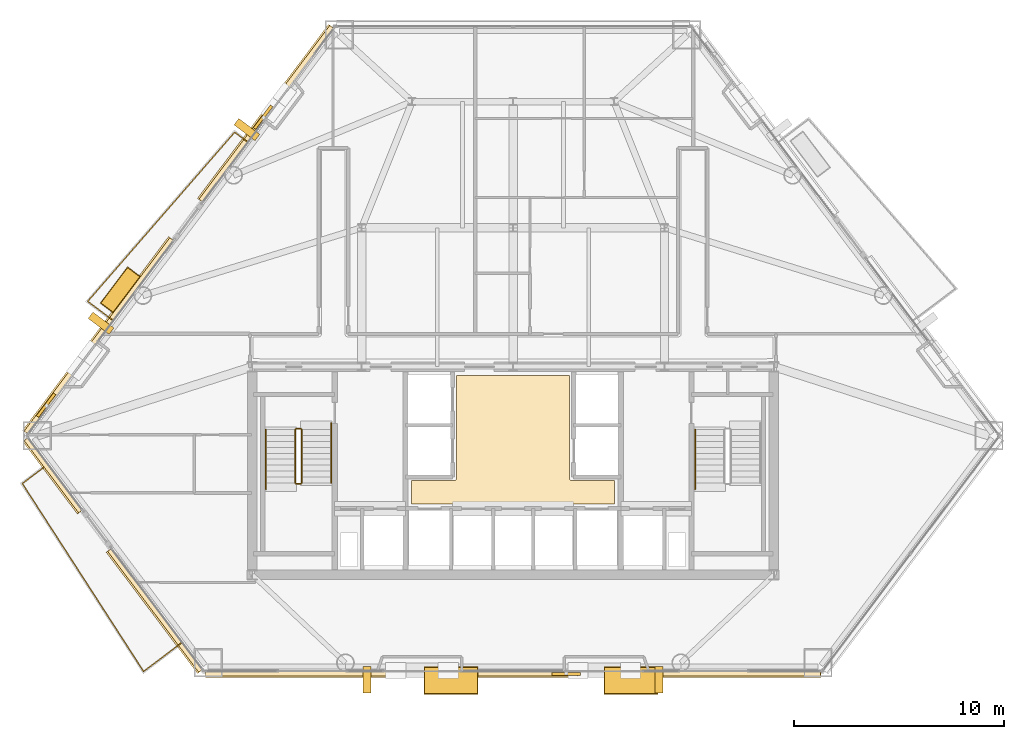
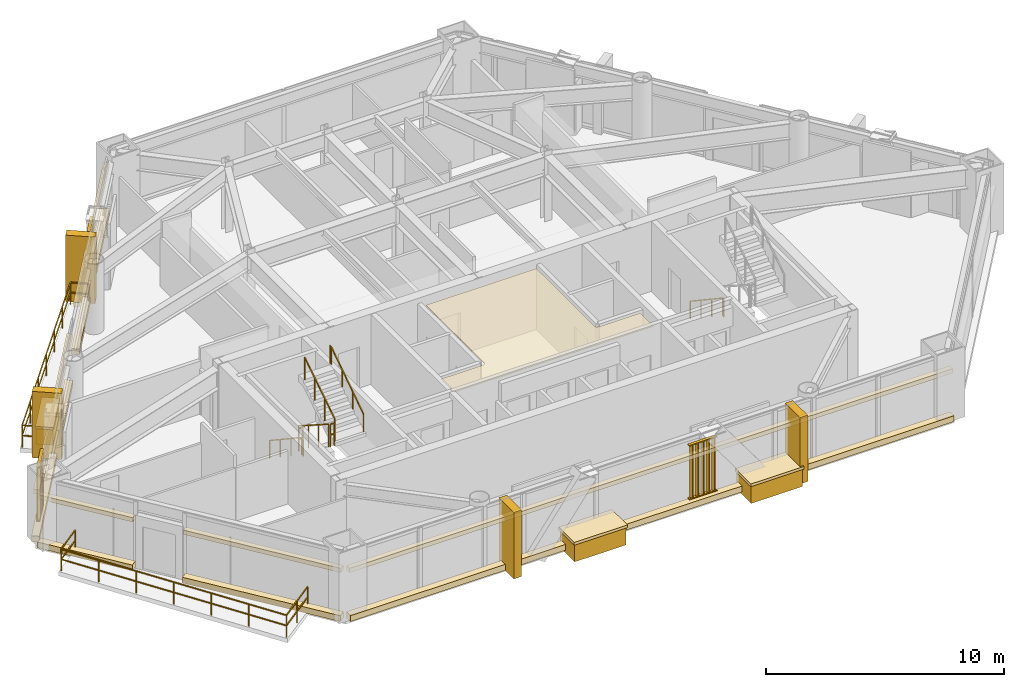
# One storey, part 9 of 10: 21 coverings, 9 railings, 3 shading devices.
"""IFC4 building model written with IfcOpenShell, lengths in metres."""

from ifc_helpers import new_model, si_unit, direction, frame, origin, origin_2d, place, context, subcontext, project, spatial, polyline, rectangle, outline, extrude, source, transform, mapped, material, layer, layer_set, type_object, type_shapes, element, save


model = new_model("IFC4")

# Units and contexts
model_context = context("Model", 3, precision=1e-05, world=origin(), true_north=direction((0.0, 1.0)))
body_context = subcontext(model_context, "Body", "Model", "MODEL_VIEW")
ifc_project = project(units=[si_unit("LENGTHUNIT", "METRE"), si_unit("AREAUNIT", "SQUARE_METRE"), si_unit("VOLUMEUNIT", "CUBIC_METRE"), si_unit("PLANEANGLEUNIT", "RADIAN"), si_unit("MASSUNIT", "GRAM", prefix="KILO")], contexts=[model_context])

# Site, building, storey
site_placement = place(None, origin())
site = spatial("IfcSite", under=ifc_project, at=site_placement, CompositionType="ELEMENT")
building_placement = place(site_placement, origin())
building = spatial("IfcBuilding", under=site, at=building_placement, Name="Talgorran Terracotta Tower", CompositionType="ELEMENT")
storey_placement = place(building_placement, frame((0.0, 0.0, 31.5)))
storey = spatial("IfcBuildingStorey", under=building, at=storey_placement, Name="L07", CompositionType="ELEMENT", Elevation=31.5)

# Coverings
ifc_material_1 = material(Name="Kiln-Fired Terracotta Ochre Ceramic", Category="masonry")
ifc_layer_1 = layer(ifc_material_1, 0.179931640625, Name="COV_BAGUETTE_TERRACOTTA_SCREEN")
ifc_layer_set_1 = layer_set([ifc_layer_1], Name="Kiln-Fired Terracotta Ochre Ceramic")
covering_type_1 = type_object("IfcCoveringType", Name="COV_BAGUETTE_TERRACOTTA_SCREEN", PredefinedType="CLADDING", material=ifc_layer_set_1)
covering_1_placement = place(storey_placement, frame((-21.84814453125, -9.35400390625, 2.41015625), z_axis=(0.0, 0.0, 1.0), x_axis=(0.601801084241, -0.798646013579, 0.0)))
element("IfcCovering", 1, at=covering_1_placement, inside=storey, type_object=covering_type_1, Name="L07 Terracotta Baguette Solar Screen Assembly F10", PredefinedType="CLADDING", context=body_context, shape_type="SweptSolid", body=[
    extrude(rectangle(XDim=4.29638671875, YDim=0.260009765625, at=origin_2d()), origin(), (0.0, 0.0, 1.0), 0.219970703125),
])
covering_2_placement = place(storey_placement, frame((-17.00634765625, -15.779541015625, 2.41015625), z_axis=(0.0, 0.0, 1.0), x_axis=(0.601815023152, -0.798635510047, 0.0)))
element("IfcCovering", 2, at=covering_2_placement, inside=storey, type_object=covering_type_1, Name="L07 Terracotta Baguette Solar Screen Assembly F11", PredefinedType="CLADDING", context=body_context, shape_type="SweptSolid", body=[
    extrude(rectangle(XDim=7.1943359375, YDim=0.260009765625, at=origin_2d()), origin(), (0.0, 0.0, 1.0), 0.219970703125),
])
covering_3_placement = place(storey_placement, frame((0.0, -18.780029296875, 2.41015625), z_axis=(0.0, 0.0, 1.0), x_axis=(1.0, 0.0, 0.0)))
element("IfcCovering", 3, at=covering_3_placement, inside=storey, type_object=covering_type_1, Name="L07 Terracotta Baguette Solar Screen Assembly F1", PredefinedType="CLADDING", context=body_context, shape_type="SweptSolid", body=[
    extrude(rectangle(XDim=29.250732421875, YDim=0.260009765625, at=origin_2d()), origin(), (0.0, 0.0, 1.0), 0.219970703125),
])
covering_4_placement = place(storey_placement, frame((-11.719970703125, 7.813720703125, 2.41015625), z_axis=(0.0, 0.0, 1.0), x_axis=(-0.601801084241, -0.798646013579, 0.0)))
element("IfcCovering", 4, at=covering_4_placement, inside=storey, type_object=covering_type_1, Name="L07 Terracotta Baguette Solar Screen Assembly F60", PredefinedType="CLADDING", context=body_context, shape_type="SweptSolid", body=[
    extrude(rectangle(XDim=10.33984375, YDim=0.260009765625, at=origin_2d()), origin(), (0.0, 0.0, 1.0), 0.219970703125),
])
covering_5_placement = place(storey_placement, frame((-19.67822265625, -2.747314453125, 2.41015625), z_axis=(0.0, 0.0, 1.0), x_axis=(-0.601815023152, -0.798635510047, 0.0)))
element("IfcCovering", 5, at=covering_5_placement, inside=storey, type_object=covering_type_1, Name="L07 Terracotta Baguette Solar Screen Assembly F61", PredefinedType="CLADDING", context=body_context, shape_type="SweptSolid", body=[
    extrude(rectangle(XDim=11.5078125, YDim=0.260009765625, at=origin_2d()), origin(), (0.0, 0.0, 1.0), 0.219970703125),
])
ifc_material_2 = material(Name="Flush Moisture-Resistant Plaster")
ifc_layer_2 = layer(ifc_material_2, 0.01806640625, Name="COV_CEIL_PLASTER")
ifc_layer_set_2 = layer_set([ifc_layer_2], Name="Flush Moisture-Resistant Plaster")
covering_type_2 = type_object("IfcCoveringType", Name="COV_CEIL_PLASTER", PredefinedType="CEILING", material=ifc_layer_set_2)
covering_6_placement = place(storey_placement, frame((0.0, 0.0, 3.260009765625)))
element("IfcCovering", 6, at=covering_6_placement, inside=storey, type_object=covering_type_2, Name="CEIL-L07-1", PredefinedType="CEILING", context=body_context, shape_type="SweptSolid", body=[
    extrude(outline(polyline([(-4.830078125, -9.6201171875), (-2.800048828125, -9.6201171875), (-2.7880859375, -9.619384765625), (-2.776611328125, -9.61767578125), (-2.76513671875, -9.61474609375), (-2.754150390625, -9.61083984375), (-2.743408203125, -9.605712890625), (-2.7333984375, -9.599853515625), (-2.723876953125, -9.5927734375), (-2.715087890625, -9.5849609375), (-2.707275390625, -9.576171875), (-2.7001953125, -9.566650390625), (-2.694091796875, -9.556640625), (-2.689208984375, -9.5458984375), (-2.685302734375, -9.534912109375), (-2.682373046875, -9.5234375), (-2.6806640625, -9.51171875), (-2.679931640625, -9.5), (-2.679931640625, -4.6201171875), (2.679931640625, -4.6201171875), (2.679931640625, -9.5), (2.6806640625, -9.51171875), (2.682373046875, -9.5234375), (2.685302734375, -9.534912109375), (2.689208984375, -9.5458984375), (2.694091796875, -9.556640625), (2.7001953125, -9.566650390625), (2.707275390625, -9.576171875), (2.715087890625, -9.5849609375), (2.723876953125, -9.5927734375), (2.7333984375, -9.599853515625), (2.743408203125, -9.605712890625), (2.754150390625, -9.61083984375), (2.76513671875, -9.61474609375), (2.776611328125, -9.61767578125), (2.7880859375, -9.619384765625), (2.800048828125, -9.6201171875), (4.830078125, -9.6201171875), (4.830078125, -10.72998046875), (-4.830078125, -10.72998046875), (-4.830078125, -9.6201171875)])), origin(), (0.0, 0.0, 1.0), 0.02001953125),
])
ifc_material_3 = material(Name="Honed Limestone and Terracotta Planter", Category="masonry")
ifc_layer_3 = layer(ifc_material_3, 0.1201171875, Name="COV_PLANTER_BOX")
ifc_layer_set_3 = layer_set([ifc_layer_3], Name="Honed Limestone and Terracotta Planter")
covering_type_3 = type_object("IfcCoveringType", Name="COV_PLANTER_BOX", PredefinedType="CLADDING", material=ifc_layer_set_3)
for number, where, z_axis, x_axis, name in (
    (7, (5.60693359375, -19.1201171875, -0.179931640625), (0.0, 0.0, 1.0), (1.0, 0.0, 0.0), "L07 Staggered South Facade Planter Box 1"),
    (8, (-2.950927734375, -19.1201171875, -0.179931640625), (0.0, 0.0, 1.0), (1.0, 0.0, 0.0), "L07 Staggered South Facade Planter Box 2"),
):
    element("IfcCovering", number, at=place(storey_placement, frame(where, z_axis=z_axis, x_axis=x_axis)), inside=storey, type_object=covering_type_3, Name=name, PredefinedType="CLADDING", context=body_context, shape_type="SweptSolid", body=[
        extrude(rectangle(XDim=2.5, YDim=1.25, at=origin_2d()), origin(), (0.0, 0.0, 1.0), 0.919921875),
    ])
covering_7_placement = place(storey_placement, frame((-18.672119140625, -0.54931640625, -0.02001953125), z_axis=(0.0, 0.0, 1.0), x_axis=(-0.601815023152, -0.798635510047, 0.0)))
element("IfcCovering", 9, at=covering_7_placement, inside=storey, type_object=covering_type_3, Name="L07 Staggered Balcony Planter Box BAL-NW", PredefinedType="CLADDING", context=body_context, shape_type="SweptSolid", body=[
    extrude(rectangle(XDim=2.10009765625, YDim=0.719970703125, at=origin_2d()), origin(), (0.0, 0.0, 1.0), 0.860107421875),
])
ifc_material_4 = material(Name="Kiln-Fired Terracotta Planter Rim", Category="masonry")
ifc_layer_4 = layer(ifc_material_4, 0.10009765625, Name="COV_PLANTER_RIM")
ifc_layer_set_4 = layer_set([ifc_layer_4], Name="Kiln-Fired Terracotta Planter Rim")
covering_type_4 = type_object("IfcCoveringType", Name="COV_PLANTER_RIM", PredefinedType="CLADDING", material=ifc_layer_set_4)
for number, where, z_axis, x_axis, name in (
    (10, (5.60693359375, -19.1201171875, 0.7099609375), (0.0, 0.0, 1.0), (1.0, 0.0, 0.0), "L07 South Planter Terracotta Rim 1"),
    (11, (-2.950927734375, -19.1201171875, 0.7099609375), (0.0, 0.0, 1.0), (1.0, 0.0, 0.0), "L07 South Planter Terracotta Rim 2"),
):
    element("IfcCovering", number, at=place(storey_placement, frame(where, z_axis=z_axis, x_axis=x_axis)), inside=storey, type_object=covering_type_4, Name=name, PredefinedType="CLADDING", context=body_context, shape_type="SweptSolid", body=[
        extrude(rectangle(XDim=2.580078125, YDim=1.320068359375, at=origin_2d()), origin(), (0.0, 0.0, 1.0), 0.139892578125),
    ])
covering_8_placement = place(storey_placement, frame((-18.672119140625, -0.54931640625, 0.800048828125), z_axis=(0.0, 0.0, 1.0), x_axis=(-0.601815023152, -0.798635510047, 0.0)))
element("IfcCovering", 12, at=covering_8_placement, inside=storey, type_object=covering_type_4, Name="L07 Balcony Planter Terracotta Rim BAL-NW", PredefinedType="CLADDING", context=body_context, shape_type="SweptSolid", body=[
    extrude(rectangle(XDim=2.179931640625, YDim=0.780029296875, at=origin_2d()), origin(), (0.0, 0.0, 1.0), 0.1201171875),
])
ifc_material_5 = material(Name="Honed Limestone Cladding", Category="masonry")
ifc_layer_5 = layer(ifc_material_5, 0.094970703125, Name="COV_PORTAL_LIME")
ifc_layer_set_5 = layer_set([ifc_layer_5], Name="Honed Limestone Cladding")
covering_type_5 = type_object("IfcCoveringType", Name="COV_PORTAL_LIME", PredefinedType="CLADDING", material=ifc_layer_set_5)
for number, where, z_axis, x_axis, name in (
    (13, (-6.934814453125, -19.080078125, -0.050048828125), (0.0, 0.0, 1.0), (1.0, 0.0, 0.0), "L07 White Striped Portal Fin F1-1"),
    (14, (-12.656005859375, 7.070068359375, -0.050048828125), (0.0, 0.0, 1.0), (-0.601815023152, -0.798635510047, 0.0), "L07 White Striped Portal Fin F5-1"),
):
    element("IfcCovering", number, at=place(storey_placement, frame(where, z_axis=z_axis, x_axis=x_axis)), inside=storey, type_object=covering_type_5, Name=name, PredefinedType="CLADDING", context=body_context, shape_type="SweptSolid", body=[
        extrude(rectangle(XDim=0.3798828125, YDim=1.25, at=origin_2d()), origin(), (0.0, 0.0, 1.0), 3.39990234375),
    ])
ifc_material_6 = material(Name="Kiln-Fired Terracotta Cladding", Category="masonry")
ifc_layer_6 = layer(ifc_material_6, 0.090087890625, Name="COV_PORTAL_TERRA")
ifc_layer_set_6 = layer_set([ifc_layer_6], Name="Kiln-Fired Terracotta Cladding")
covering_type_6 = type_object("IfcCoveringType", Name="COV_PORTAL_TERRA", PredefinedType="CLADDING", material=ifc_layer_set_6)
covering_9_placement = place(storey_placement, frame((-21.880126953125, -9.378173828125, -0.0400390625), z_axis=(0.0, 0.0, 1.0), x_axis=(0.601801084241, -0.798646013579, 0.0)))
element("IfcCovering", 15, at=covering_9_placement, inside=storey, type_object=covering_type_6, Name="L07 Striped Postmodern Portal Cladding Band F10", PredefinedType="CLADDING", context=body_context, shape_type="SweptSolid", body=[
    extrude(rectangle(XDim=4.31640625, YDim=0.340087890625, at=origin_2d()), origin(), (0.0, 0.0, 1.0), 0.300048828125),
])
covering_10_placement = place(storey_placement, frame((-17.038330078125, -15.8037109375, -0.0400390625), z_axis=(0.0, 0.0, 1.0), x_axis=(0.601815023152, -0.798635510047, 0.0)))
element("IfcCovering", 16, at=covering_10_placement, inside=storey, type_object=covering_type_6, Name="L07 Striped Postmodern Portal Cladding Band F11", PredefinedType="CLADDING", context=body_context, shape_type="SweptSolid", body=[
    extrude(rectangle(XDim=7.21435546875, YDim=0.340087890625, at=origin_2d()), origin(), (0.0, 0.0, 1.0), 0.300048828125),
])
covering_11_placement = place(storey_placement, frame((0.0, -18.820068359375, -0.0400390625), z_axis=(0.0, 0.0, 1.0), x_axis=(1.0, 0.0, 0.0)))
element("IfcCovering", 17, at=covering_11_placement, inside=storey, type_object=covering_type_6, Name="L07 Striped Postmodern Portal Cladding Band F1", PredefinedType="CLADDING", context=body_context, shape_type="SweptSolid", body=[
    extrude(rectangle(XDim=29.270751953125, YDim=0.340087890625, at=origin_2d()), origin(), (0.0, 0.0, 1.0), 0.300048828125),
])
covering_12_placement = place(storey_placement, frame((-11.751953125, 7.837890625, -0.0400390625), z_axis=(0.0, 0.0, 1.0), x_axis=(-0.601801084241, -0.798646013579, 0.0)))
element("IfcCovering", 18, at=covering_12_placement, inside=storey, type_object=covering_type_6, Name="L07 Striped Postmodern Portal Cladding Band F60", PredefinedType="CLADDING", context=body_context, shape_type="SweptSolid", body=[
    extrude(rectangle(XDim=10.35986328125, YDim=0.340087890625, at=origin_2d()), origin(), (0.0, 0.0, 1.0), 0.300048828125),
])
covering_13_placement = place(storey_placement, frame((-19.710205078125, -2.72314453125, -0.0400390625), z_axis=(0.0, 0.0, 1.0), x_axis=(-0.601815023152, -0.798635510047, 0.0)))
element("IfcCovering", 19, at=covering_13_placement, inside=storey, type_object=covering_type_6, Name="L07 Striped Postmodern Portal Cladding Band F61", PredefinedType="CLADDING", context=body_context, shape_type="SweptSolid", body=[
    extrude(rectangle(XDim=11.527587890625, YDim=0.340087890625, at=origin_2d()), origin(), (0.0, 0.0, 1.0), 0.300048828125),
])
for number, where, z_axis, x_axis, name in (
    (20, (6.934814453125, -19.080078125, -0.050048828125), (0.0, 0.0, 1.0), (1.0, 0.0, 0.0), "L07 Terracotta Striped Portal Fin F1-2"),
    (21, (-19.591064453125, -2.133056640625, -0.050048828125), (0.0, 0.0, 1.0), (-0.601815023152, -0.798635510047, 0.0), "L07 Terracotta Striped Portal Fin F5-2"),
):
    element("IfcCovering", number, at=place(storey_placement, frame(where, z_axis=z_axis, x_axis=x_axis)), inside=storey, type_object=covering_type_6, Name=name, PredefinedType="CLADDING", context=body_context, shape_type="SweptSolid", body=[
        extrude(rectangle(XDim=0.3798828125, YDim=1.25, at=origin_2d()), origin(), (0.0, 0.0, 1.0), 3.39990234375),
    ])

# Railings
ifc_material_7 = material(Name="Laminated Glass and Stainless Steel 316", Category="steel")
railing_type_1 = type_object("IfcRailingType", Name="RL_BALCONY_1150", PredefinedType="BALUSTRADE", material=ifc_material_7)
railing_1_placement = place(storey_placement, frame((-12.6220703125, 6.483642578125, 0.0)))
element("IfcRailing", 22, at=railing_1_placement, inside=storey, type_object=railing_type_1, Name="RL-L07-BAL-BAL-NW", PredefinedType="BALUSTRADE", context=body_context, shape_type="SweptSolid", body=[
    extrude(rectangle(XDim=0.048095703125, YDim=0.048095703125, at=origin_2d()), frame((0.0, 0.0, 1.1259765625), z_axis=(-0.798664269991, 0.60177685552, 0.0), x_axis=(-0.60177685552, -0.798664269991, 0.0)), (0.0, 0.0, 1.0), 0.768798828125),
    extrude(rectangle(XDim=0.048095703125, YDim=0.048095703125, at=origin_2d()), frame((0.0, 0.0, 0.597900390625), z_axis=(-0.798664269991, 0.60177685552, 0.0), x_axis=(-0.60177685552, -0.798664269991, 0.0)), (0.0, 0.0, 1.0), 0.768798828125),
    extrude(rectangle(XDim=0.048095703125, YDim=0.048095703125, at=origin_2d()), frame((-0.614013671875, 0.462646484375, 1.1259765625), z_axis=(-0.655872284284, -0.754871874365, 0.0), x_axis=(0.754871874365, -0.655872284284, 0.0)), (0.0, 0.0, 1.0), 10.653564453125),
    extrude(rectangle(XDim=0.048095703125, YDim=0.048095703125, at=origin_2d()), frame((-0.614013671875, 0.462646484375, 0.597900390625), z_axis=(-0.655872284284, -0.754871874365, 0.0), x_axis=(0.754871874365, -0.655872284284, 0.0)), (0.0, 0.0, 1.0), 10.653564453125),
    extrude(rectangle(XDim=0.048095703125, YDim=0.048095703125, at=origin_2d()), frame((-7.601318359375, -7.579345703125, 1.1259765625), z_axis=(0.798580801759, -0.601887616638, 0.0), x_axis=(0.601887616638, 0.798580801759, 0.0)), (0.0, 0.0, 1.0), 1.50927734375),
    extrude(rectangle(XDim=0.048095703125, YDim=0.048095703125, at=origin_2d()), frame((-7.601318359375, -7.579345703125, 0.597900390625), z_axis=(0.798580801759, -0.601887616638, 0.0), x_axis=(0.601887616638, 0.798580801759, 0.0)), (0.0, 0.0, 1.0), 1.50927734375),
    extrude(rectangle(XDim=0.0419921875, YDim=0.0419921875, at=origin_2d()), origin(), (0.0, 0.0, 1.0), 1.101806640625),
    extrude(rectangle(XDim=0.0419921875, YDim=0.0419921875, at=origin_2d()), frame((-0.614013671875, 0.462646484375, 0.0)), (0.0, 0.0, 1.0), 1.101806640625),
    extrude(rectangle(XDim=0.0419921875, YDim=0.0419921875, at=origin_2d()), frame((-1.778564453125, -0.877685546875, 0.0)), (0.0, 0.0, 1.0), 1.101806640625),
    extrude(rectangle(XDim=0.0419921875, YDim=0.0419921875, at=origin_2d()), frame((-2.943115234375, -2.218017578125, 0.0)), (0.0, 0.0, 1.0), 1.101806640625),
    extrude(rectangle(XDim=0.0419921875, YDim=0.0419921875, at=origin_2d()), frame((-4.107666015625, -3.558349609375, 0.0)), (0.0, 0.0, 1.0), 1.101806640625),
    extrude(rectangle(XDim=0.0419921875, YDim=0.0419921875, at=origin_2d()), frame((-5.272216796875, -4.898681640625, 0.0)), (0.0, 0.0, 1.0), 1.101806640625),
    extrude(rectangle(XDim=0.0419921875, YDim=0.0419921875, at=origin_2d()), frame((-6.436767578125, -6.239013671875, 0.0)), (0.0, 0.0, 1.0), 1.101806640625),
    extrude(rectangle(XDim=0.0419921875, YDim=0.0419921875, at=origin_2d()), frame((-7.601318359375, -7.579345703125, 0.0)), (0.0, 0.0, 1.0), 1.101806640625),
    extrude(rectangle(XDim=0.0419921875, YDim=0.0419921875, at=origin_2d()), frame((-6.39599609375, -8.48779296875, 0.0)), (0.0, 0.0, 1.0), 1.101806640625),
])
railing_2_placement = place(storey_placement, frame((-22.126953125, -8.851318359375, 0.0)))
element("IfcRailing", 23, at=railing_2_placement, inside=storey, type_object=railing_type_1, Name="RL-L07-BAL-BAL-SW", PredefinedType="BALUSTRADE", context=body_context, shape_type="SweptSolid", body=[
    extrude(rectangle(XDim=0.048095703125, YDim=0.048095703125, at=origin_2d()), frame((0.0, 0.0, 1.1259765625), z_axis=(-0.798637181465, -0.6018128051, 0.0), x_axis=(0.6018128051, -0.798637181465, 0.0)), (0.0, 0.0, 1.0), 1.507080078125),
    extrude(rectangle(XDim=0.048095703125, YDim=0.048095703125, at=origin_2d()), frame((0.0, 0.0, 0.597900390625), z_axis=(-0.798637181465, -0.6018128051, 0.0), x_axis=(0.6018128051, -0.798637181465, 0.0)), (0.0, 0.0, 1.0), 1.507080078125),
    extrude(rectangle(XDim=0.048095703125, YDim=0.048095703125, at=origin_2d()), frame((-1.20361328125, -0.906982421875, 1.1259765625), z_axis=(0.542226255809, -0.840232519908, 0.0), x_axis=(0.840232519908, 0.542226255809, 0.0)), (0.0, 0.0, 1.0), 10.630615234375),
    extrude(rectangle(XDim=0.048095703125, YDim=0.048095703125, at=origin_2d()), frame((-1.20361328125, -0.906982421875, 0.597900390625), z_axis=(0.542226255809, -0.840232519908, 0.0), x_axis=(0.840232519908, 0.542226255809, 0.0)), (0.0, 0.0, 1.0), 10.630615234375),
    extrude(rectangle(XDim=0.048095703125, YDim=0.048095703125, at=origin_2d()), frame((4.560546875, -9.839111328125, 1.1259765625), z_axis=(0.798661199476, 0.601780930614, 0.0), x_axis=(-0.601780930614, 0.798661199476, 0.0)), (0.0, 0.0, 1.0), 2.279296875),
    extrude(rectangle(XDim=0.048095703125, YDim=0.048095703125, at=origin_2d()), frame((4.560546875, -9.839111328125, 0.597900390625), z_axis=(0.798661199476, 0.601780930614, 0.0), x_axis=(-0.601780930614, 0.798661199476, 0.0)), (0.0, 0.0, 1.0), 2.279296875),
    extrude(rectangle(XDim=0.0419921875, YDim=0.0419921875, at=origin_2d()), origin(), (0.0, 0.0, 1.0), 1.101806640625),
    extrude(rectangle(XDim=0.0419921875, YDim=0.0419921875, at=origin_2d()), frame((-1.20361328125, -0.906982421875, 0.0)), (0.0, 0.0, 1.0), 1.101806640625),
    extrude(rectangle(XDim=0.0419921875, YDim=0.0419921875, at=origin_2d()), frame((-0.242919921875, -2.395751953125, 0.0)), (0.0, 0.0, 1.0), 1.101806640625),
    extrude(rectangle(XDim=0.0419921875, YDim=0.0419921875, at=origin_2d()), frame((0.7177734375, -3.88427734375, 0.0)), (0.0, 0.0, 1.0), 1.101806640625),
    extrude(rectangle(XDim=0.0419921875, YDim=0.0419921875, at=origin_2d()), frame((1.678466796875, -5.373046875, 0.0)), (0.0, 0.0, 1.0), 1.101806640625),
    extrude(rectangle(XDim=0.0419921875, YDim=0.0419921875, at=origin_2d()), frame((2.63916015625, -6.86181640625, 0.0)), (0.0, 0.0, 1.0), 1.101806640625),
    extrude(rectangle(XDim=0.0419921875, YDim=0.0419921875, at=origin_2d()), frame((3.599853515625, -8.350341796875, 0.0)), (0.0, 0.0, 1.0), 1.101806640625),
    extrude(rectangle(XDim=0.0419921875, YDim=0.0419921875, at=origin_2d()), frame((4.560546875, -9.839111328125, 0.0)), (0.0, 0.0, 1.0), 1.101806640625),
    extrude(rectangle(XDim=0.0419921875, YDim=0.0419921875, at=origin_2d()), frame((5.470703125, -9.1533203125, 0.0)), (0.0, 0.0, 1.0), 1.101806640625),
    extrude(rectangle(XDim=0.0419921875, YDim=0.0419921875, at=origin_2d()), frame((6.380859375, -8.467529296875, 0.0)), (0.0, 0.0, 1.0), 1.101806640625),
])
ifc_material_8 = material(Name="Steel S355 (300PLUS)", Category="steel")
railing_type_2 = type_object("IfcRailingType", Name="RL_HANDRAIL_920", PredefinedType="HANDRAIL", material=ifc_material_8)
railing_3_placement = place(storey_placement, frame((-11.75, -7.199951171875, 0.179931640625)))
element("IfcRailing", 24, at=railing_3_placement, inside=storey, type_object=railing_type_2, Name="L07 ST-01 stair handrail 1", PredefinedType="HANDRAIL", context=body_context, shape_type="SweptSolid", body=[
    extrude(rectangle(XDim=0.048095703125, YDim=0.048095703125, at=origin_2d()), frame((0.0, 0.0, 0.89599609375), z_axis=(0.0, -0.832038719335, 0.554717558338), x_axis=(1.0, 0.0, 0.0)), (0.0, 0.0, 1.0), 3.244873046875),
    extrude(rectangle(XDim=0.048095703125, YDim=0.048095703125, at=origin_2d()), frame((0.0, -2.699951171875, 2.69580078125), z_axis=(0.0, -1.0, 0.0), x_axis=(1.0, 0.0, 0.0)), (0.0, 0.0, 1.0), 0.1201171875),
    extrude(rectangle(XDim=0.0419921875, YDim=0.0419921875, at=origin_2d()), origin(), (0.0, 0.0, 1.0), 0.871826171875),
    extrude(rectangle(XDim=0.0419921875, YDim=0.0419921875, at=origin_2d()), frame((0.0, -0.89990234375, 0.60009765625)), (0.0, 0.0, 1.0), 0.871826171875),
    extrude(rectangle(XDim=0.0419921875, YDim=0.0419921875, at=origin_2d()), frame((0.0, -1.800048828125, 1.199951171875)), (0.0, 0.0, 1.0), 0.871826171875),
    extrude(rectangle(XDim=0.0419921875, YDim=0.0419921875, at=origin_2d()), frame((0.0, -2.699951171875, 1.800048828125)), (0.0, 0.0, 1.0), 0.871826171875),
    extrude(rectangle(XDim=0.0419921875, YDim=0.0419921875, at=origin_2d()), frame((0.0, -2.820068359375, 1.800048828125)), (0.0, 0.0, 1.0), 0.871826171875),
])
railing_4_placement = place(storey_placement, frame((-8.64990234375, -9.719970703125, 1.97998046875)))
element("IfcRailing", 25, at=railing_4_placement, inside=storey, type_object=railing_type_2, Name="L07 ST-01 stair handrail 2", PredefinedType="HANDRAIL", context=body_context, shape_type="SweptSolid", body=[
    extrude(rectangle(XDim=0.048095703125, YDim=0.048095703125, at=origin_2d()), frame((0.0, 0.0, 0.89599609375), z_axis=(0.0, 0.832038719335, 0.554717558338), x_axis=(-1.0, 0.0, 0.0)), (0.0, 0.0, 1.0), 3.244873046875),
    extrude(rectangle(XDim=0.048095703125, YDim=0.048095703125, at=origin_2d()), frame((0.0, 2.699951171875, 2.69580078125), z_axis=(0.0, 1.0, 0.0), x_axis=(-1.0, 0.0, 0.0)), (0.0, 0.0, 1.0), 0.1201171875),
    extrude(rectangle(XDim=0.0419921875, YDim=0.0419921875, at=origin_2d()), origin(), (0.0, 0.0, 1.0), 0.871826171875),
    extrude(rectangle(XDim=0.0419921875, YDim=0.0419921875, at=origin_2d()), frame((0.0, 0.89990234375, 0.60009765625)), (0.0, 0.0, 1.0), 0.871826171875),
    extrude(rectangle(XDim=0.0419921875, YDim=0.0419921875, at=origin_2d()), frame((0.0, 1.800048828125, 1.199951171875)), (0.0, 0.0, 1.0), 0.871826171875),
    extrude(rectangle(XDim=0.0419921875, YDim=0.0419921875, at=origin_2d()), frame((0.0, 2.699951171875, 1.800048828125)), (0.0, 0.0, 1.0), 0.871826171875),
    extrude(rectangle(XDim=0.0419921875, YDim=0.0419921875, at=origin_2d()), frame((0.0, 2.820068359375, 1.800048828125)), (0.0, 0.0, 1.0), 0.871826171875),
])
railing_5_placement = place(storey_placement, frame((8.64990234375, -7.199951171875, 0.179931640625)))
element("IfcRailing", 26, at=railing_5_placement, inside=storey, type_object=railing_type_2, Name="L07 ST-02 stair handrail 1", PredefinedType="HANDRAIL", context=body_context, shape_type="SweptSolid", body=[
    extrude(rectangle(XDim=0.048095703125, YDim=0.048095703125, at=origin_2d()), frame((0.0, 0.0, 0.89599609375), z_axis=(0.0, -0.832038719335, 0.554717558338), x_axis=(1.0, 0.0, 0.0)), (0.0, 0.0, 1.0), 3.244873046875),
    extrude(rectangle(XDim=0.048095703125, YDim=0.048095703125, at=origin_2d()), frame((0.0, -2.699951171875, 2.69580078125), z_axis=(0.0, -1.0, 0.0), x_axis=(1.0, 0.0, 0.0)), (0.0, 0.0, 1.0), 0.1201171875),
    extrude(rectangle(XDim=0.0419921875, YDim=0.0419921875, at=origin_2d()), origin(), (0.0, 0.0, 1.0), 0.871826171875),
    extrude(rectangle(XDim=0.0419921875, YDim=0.0419921875, at=origin_2d()), frame((0.0, -0.89990234375, 0.60009765625)), (0.0, 0.0, 1.0), 0.871826171875),
    extrude(rectangle(XDim=0.0419921875, YDim=0.0419921875, at=origin_2d()), frame((0.0, -1.800048828125, 1.199951171875)), (0.0, 0.0, 1.0), 0.871826171875),
    extrude(rectangle(XDim=0.0419921875, YDim=0.0419921875, at=origin_2d()), frame((0.0, -2.699951171875, 1.800048828125)), (0.0, 0.0, 1.0), 0.871826171875),
    extrude(rectangle(XDim=0.0419921875, YDim=0.0419921875, at=origin_2d()), frame((0.0, -2.820068359375, 1.800048828125)), (0.0, 0.0, 1.0), 0.871826171875),
])
railing_type_3 = type_object("IfcRailingType", Name="RL_STAIR_GUARD", PredefinedType="GUARDRAIL", material=ifc_material_8)
railing_6_placement = place(storey_placement, frame((-10.35009765625, -7.199951171875, 0.179931640625)))
element("IfcRailing", 27, at=railing_6_placement, inside=storey, type_object=railing_type_3, Name="L07 ST-01 stair guard 1", PredefinedType="GUARDRAIL", context=body_context, shape_type="SweptSolid", body=[
    extrude(rectangle(XDim=0.048095703125, YDim=0.048095703125, at=origin_2d()), frame((0.0, 0.0, 1.15576171875), z_axis=(0.0, -0.841162588446, 0.540782303519), x_axis=(1.0, 0.0, 0.0)), (0.0, 0.0, 1.0), 2.995849609375),
    extrude(rectangle(XDim=0.0419921875, YDim=0.0419921875, at=origin_2d()), origin(), (0.0, 0.0, 1.0), 1.1318359375),
    extrude(rectangle(XDim=0.0419921875, YDim=0.0419921875, at=origin_2d()), frame((0.0, -0.840087890625, 0.5400390625)), (0.0, 0.0, 1.0), 1.1318359375),
    extrude(rectangle(XDim=0.0419921875, YDim=0.0419921875, at=origin_2d()), frame((0.0, -1.679931640625, 1.080078125)), (0.0, 0.0, 1.0), 1.1318359375),
    extrude(rectangle(XDim=0.0419921875, YDim=0.0419921875, at=origin_2d()), frame((0.0, -2.52001953125, 1.6201171875)), (0.0, 0.0, 1.0), 1.1318359375),
])
railing_7_placement = place(storey_placement, frame((-10.300048828125, -9.77001953125, 1.800048828125)))
element("IfcRailing", 28, at=railing_7_placement, inside=storey, type_object=railing_type_3, Name="L07 ST-01 stair guard 2", PredefinedType="GUARDRAIL", context=body_context, shape_type="SweptSolid", body=[
    extrude(rectangle(XDim=0.048095703125, YDim=0.048095703125, at=origin_2d()), frame((0.0, 0.0, 1.15576171875), z_axis=(1.0, 0.0, 0.0), x_axis=(0.0, 1.0, 0.0)), (0.0, 0.0, 1.0), 0.199951171875),
    extrude(rectangle(XDim=0.048095703125, YDim=0.048095703125, at=origin_2d()), frame((0.0, 0.0, 0.613525390625), z_axis=(1.0, 0.0, 0.0), x_axis=(0.0, 1.0, 0.0)), (0.0, 0.0, 1.0), 0.199951171875),
    extrude(rectangle(XDim=0.0419921875, YDim=0.0419921875, at=origin_2d()), origin(), (0.0, 0.0, 1.0), 1.1318359375),
    extrude(rectangle(XDim=0.0419921875, YDim=0.0419921875, at=origin_2d()), frame((0.199951171875, 0.0, 0.0)), (0.0, 0.0, 1.0), 1.1318359375),
])
railing_8_placement = place(storey_placement, frame((-10.050048828125, -9.719970703125, 1.97998046875)))
element("IfcRailing", 29, at=railing_8_placement, inside=storey, type_object=railing_type_3, Name="L07 ST-01 stair guard 3", PredefinedType="GUARDRAIL", context=body_context, shape_type="SweptSolid", body=[
    extrude(rectangle(XDim=0.048095703125, YDim=0.048095703125, at=origin_2d()), frame((0.0, 0.0, 1.15576171875), z_axis=(0.0, 0.841162588446, 0.540782303519), x_axis=(-1.0, 0.0, 0.0)), (0.0, 0.0, 1.0), 2.995849609375),
    extrude(rectangle(XDim=0.0419921875, YDim=0.0419921875, at=origin_2d()), origin(), (0.0, 0.0, 1.0), 1.1318359375),
    extrude(rectangle(XDim=0.0419921875, YDim=0.0419921875, at=origin_2d()), frame((0.0, 0.840087890625, 0.5400390625)), (0.0, 0.0, 1.0), 1.1318359375),
    extrude(rectangle(XDim=0.0419921875, YDim=0.0419921875, at=origin_2d()), frame((0.0, 1.679931640625, 1.080078125)), (0.0, 0.0, 1.0), 1.1318359375),
    extrude(rectangle(XDim=0.0419921875, YDim=0.0419921875, at=origin_2d()), frame((0.0, 2.52001953125, 1.6201171875)), (0.0, 0.0, 1.0), 1.1318359375),
])
railing_9_placement = place(storey_placement, frame((-10.300048828125, -7.14990234375, 0.0)))
element("IfcRailing", 30, at=railing_9_placement, inside=storey, type_object=railing_type_3, Name="L07 ST-01 stair guard 4", PredefinedType="GUARDRAIL", context=body_context, shape_type="SweptSolid", body=[
    extrude(rectangle(XDim=0.048095703125, YDim=0.048095703125, at=origin_2d()), frame((0.0, 0.0, 1.15576171875), z_axis=(1.0, 0.0, 0.0), x_axis=(0.0, 1.0, 0.0)), (0.0, 0.0, 1.0), 0.199951171875),
    extrude(rectangle(XDim=0.048095703125, YDim=0.048095703125, at=origin_2d()), frame((0.0, 0.0, 0.613525390625), z_axis=(1.0, 0.0, 0.0), x_axis=(0.0, 1.0, 0.0)), (0.0, 0.0, 1.0), 0.199951171875),
    extrude(rectangle(XDim=0.0419921875, YDim=0.0419921875, at=origin_2d()), origin(), (0.0, 0.0, 1.0), 1.1318359375),
    extrude(rectangle(XDim=0.0419921875, YDim=0.0419921875, at=origin_2d()), frame((0.199951171875, 0.0, 0.0)), (0.0, 0.0, 1.0), 1.1318359375),
])

# Shading devices
ifc_material_9 = material(Name="Kiln-Fired Terracotta", Category="masonry")
ifc_layer_7 = layer(ifc_material_9, 0.139892578125, Name="SHD_BAGUETTE_TERRA")
ifc_layer_set_7 = layer_set([ifc_layer_7], Name="Kiln-Fired Terracotta")
shading_device_type = type_object("IfcShadingDeviceType", Name="SHD_BAGUETTE_TERRA", PredefinedType="JALOUSIE", material=ifc_layer_set_7)
shared_shape = source(origin(), body_context, "Body", "SweptSolid", [
    extrude(rectangle(XDim=1.35009765625, YDim=0.139892578125, at=origin_2d()), origin(), (0.0, 0.0, 1.0), 0.054931640625),
    extrude(rectangle(XDim=1.35009765625, YDim=0.139892578125, at=origin_2d()), frame((0.0, 0.0, 2.7451171875)), (0.0, 0.0, 1.0), 0.054931640625),
    extrude(rectangle(XDim=0.074951171875, YDim=0.139892578125, at=origin_2d()), frame((-0.53515625, 0.0, 0.054931640625), z_axis=(0.0, 0.0, 1.0), x_axis=(0.866025403784, 0.5, 0.0)), (0.0, 0.0, 1.0), 2.690185546875),
    extrude(rectangle(XDim=0.074951171875, YDim=0.139892578125, at=origin_2d()), frame((-0.267578125, 0.0, 0.054931640625), z_axis=(0.0, 0.0, 1.0), x_axis=(0.866025403784, 0.5, 0.0)), (0.0, 0.0, 1.0), 2.690185546875),
    extrude(rectangle(XDim=0.074951171875, YDim=0.139892578125, at=origin_2d()), frame((0.0, 0.0, 0.054931640625), z_axis=(0.0, 0.0, 1.0), x_axis=(0.866025403784, 0.5, 0.0)), (0.0, 0.0, 1.0), 2.690185546875),
    extrude(rectangle(XDim=0.074951171875, YDim=0.139892578125, at=origin_2d()), frame((0.267578125, 0.0, 0.054931640625), z_axis=(0.0, 0.0, 1.0), x_axis=(0.866025403784, 0.5, 0.0)), (0.0, 0.0, 1.0), 2.690185546875),
    extrude(rectangle(XDim=0.074951171875, YDim=0.139892578125, at=origin_2d()), frame((0.53515625, 0.0, 0.054931640625), z_axis=(0.0, 0.0, 1.0), x_axis=(0.866025403784, 0.5, 0.0)), (0.0, 0.0, 1.0), 2.690185546875),
])
type_shapes(shading_device_type, [shared_shape])
for number, where, z_axis, x_axis, name in (
    (31, (2.531494140625, -18.820068359375, 0.35009765625), (0.0, 0.0, 1.0), (1.0, 0.0, 0.0), "BAG-L07-F1"),
    (32, (-11.88671875, 7.6591796875, 0.35009765625), (0.0, 0.0, 1.0), (-0.601801084241, -0.798646013579, 0.0), "BAG-L07-F60"),
    (33, (-22.2041015625, -6.03271484375, 0.35009765625), (0.0, 0.0, 1.0), (-0.601815023152, -0.798635510047, 0.0), "BAG-L07-F61"),
):
    element("IfcShadingDevice", number, at=place(storey_placement, frame(where, z_axis=z_axis, x_axis=x_axis)), inside=storey, type_object=shading_device_type, Name=name, PredefinedType="JALOUSIE", context=body_context, shape_type="MappedRepresentation", body=[
        mapped(shared_shape, transform((0.0, 0.0, 0.0), scale=1.0)),
    ])

save(model, "model.ifc")
